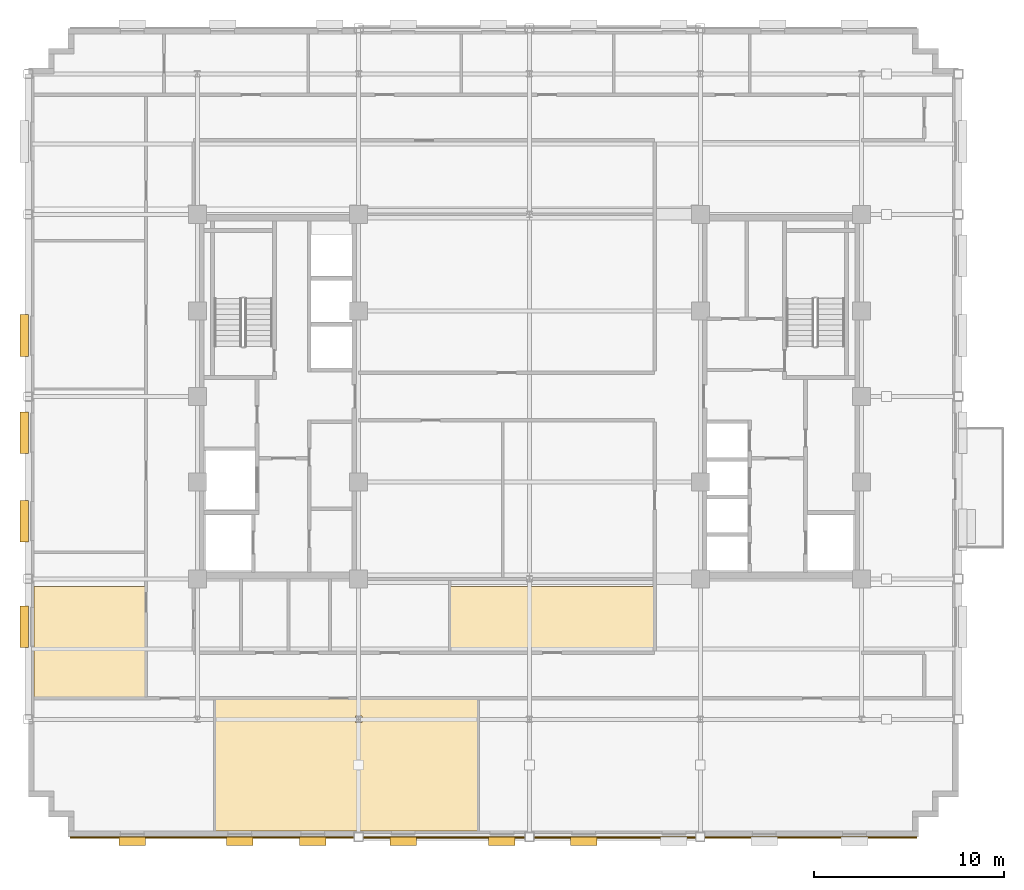
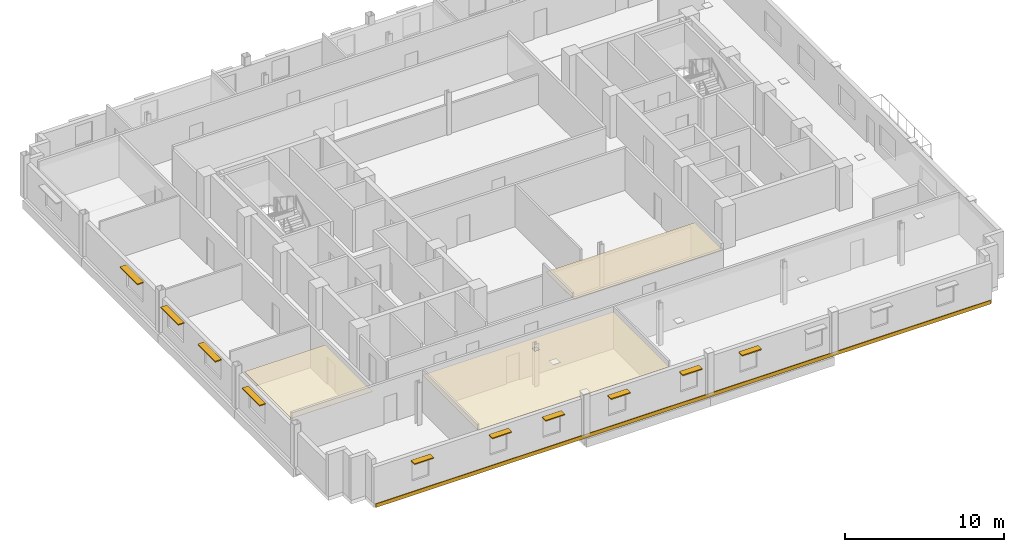
# One storey, part 11 of 15: 10 shading devices, 4 coverings.
"""IFC4 building model written with IfcOpenShell, lengths in metres."""

from ifc_helpers import new_model, si_unit, direction, frame, origin, origin_2d, place, context, subcontext, project, spatial, polyline, rectangle, outline, extrude, source, transform, mapped, material, layer, layer_set, type_object, type_shapes, element, save


model = new_model("IFC4")

# Units and contexts
model_context = context("Model", 3, precision=1e-05, world=origin(), true_north=direction((0.0, 1.0)))
body_context = subcontext(model_context, "Body", "Model", "MODEL_VIEW")
ifc_project = project(units=[si_unit("LENGTHUNIT", "METRE"), si_unit("AREAUNIT", "SQUARE_METRE"), si_unit("VOLUMEUNIT", "CUBIC_METRE"), si_unit("PLANEANGLEUNIT", "RADIAN"), si_unit("MASSUNIT", "GRAM", prefix="KILO")], contexts=[model_context])

# Site, building, storey
site_placement = place(None, origin())
site = spatial("IfcSite", under=ifc_project, at=site_placement, CompositionType="ELEMENT")
building_placement = place(site_placement, origin())
building = spatial("IfcBuilding", under=site, at=building_placement, Name="Nuvemarco Arch Tower", CompositionType="ELEMENT")
storey_placement = place(building_placement, frame((0.0, 0.0, 205.5)))
storey = spatial("IfcBuildingStorey", under=building, at=storey_placement, Name="L54", CompositionType="ELEMENT", Elevation=205.5)

# Coverings
ifc_material_1 = material(Name="Mineral acoustic ceiling tile")
ifc_layer_1 = layer(ifc_material_1, 0.0400390625, Name="COV-ACOUSTIC-CLG")
ifc_layer_set_1 = layer_set([ifc_layer_1], Name="Mineral acoustic ceiling tile")
covering_type_1 = type_object("IfcCoveringType", Name="COV-ACOUSTIC-CLG", PredefinedType="CEILING", material=ifc_layer_set_1)
covering_1_placement = place(storey_placement, frame((0.0, 0.0, 2.72998046875)))
element("IfcCovering", 1, at=covering_1_placement, inside=storey, type_object=covering_type_1, Name="L54 suspended acoustic ceiling 3", PredefinedType="CEILING", context=body_context, shape_type="SweptSolid", body=[
    extrude(outline(polyline([(-16.570068359375, -22.889892578125), (-16.570068359375, -15.89990234375), (-2.7099609375, -15.89990234375), (-2.7099609375, -22.889892578125), (-16.570068359375, -22.889892578125)]), holes=[polyline([(-8.830078125, -17.169921875), (-8.830078125, -16.830078125), (-9.169921875, -16.830078125), (-9.169921875, -17.169921875), (-8.830078125, -17.169921875)])]), origin(), (0.0, 0.0, 1.0), 0.0400390625),
])
covering_2_placement = place(storey_placement, frame((0.0, 0.0, 2.72998046875)))
element("IfcCovering", 2, at=covering_2_placement, inside=storey, type_object=covering_type_1, Name="L54 suspended acoustic ceiling 5", PredefinedType="CEILING", context=body_context, shape_type="SweptSolid", body=[
    extrude(outline(polyline([(-20.199951171875, -15.89990234375), (-26.090087890625, -15.89990234375), (-26.090087890625, -10.0), (-20.199951171875, -10.0), (-20.199951171875, -13.5), (-20.199951171875, -15.89990234375)])), origin(), (0.0, 0.0, 1.0), 0.0400390625),
])
covering_3_placement = place(storey_placement, frame((0.0, 0.0, 2.72998046875)))
element("IfcCovering", 3, at=covering_3_placement, inside=storey, type_object=covering_type_1, Name="L54 suspended acoustic ceiling 7", PredefinedType="CEILING", context=body_context, shape_type="SweptSolid", body=[
    extrude(outline(polyline([(6.60009765625, -13.5), (-4.199951171875, -13.5), (-4.199951171875, -10.0), (6.60009765625, -10.0), (6.60009765625, -13.5)])), origin(), (0.0, 0.0, 1.0), 0.0400390625),
])

# Shading devices
ifc_material_2 = material(Name="Anodised aluminium 6063-T6", Category="aluminium")
shading_device_type_1 = type_object("IfcShadingDeviceType", Name="SHD-BRISE-SOLEIL", PredefinedType="USERDEFINED", material=ifc_material_2)
shared_shape_1 = source(origin(), body_context, "Body", "SweptSolid", [
    extrude(rectangle(XDim=2.199951171875, YDim=0.449951171875, at=origin_2d()), origin(), (0.0, 0.0, 1.0), 0.080078125),
])
type_shapes(shading_device_type_1, [shared_shape_1])
for number, where, z_axis, x_axis, name in (
    (4, (-26.614990234375, -12.125, 2.324951171875), (0.0, 0.0, 1.0), (0.0, 1.0, 0.0), "L54 horizontal brise-soleil sunshade"),
    (5, (-26.614990234375, -6.5625, 2.324951171875), (0.0, 0.0, 1.0), (0.0, 1.0, 0.0), "L54 horizontal brise-soleil sunshade"),
    (6, (-26.614990234375, -1.89990234375, 2.324951171875), (0.0, 0.0, 1.0), (0.0, 1.0, 0.0), "L54 horizontal brise-soleil sunshade"),
    (7, (-26.614990234375, 3.212646484375, 2.324951171875), (0.0, 0.0, 1.0), (0.0, 1.0, 0.0), "L54 horizontal brise-soleil sunshade"),
):
    element("IfcShadingDevice", number, at=place(storey_placement, frame(where, z_axis=z_axis, x_axis=x_axis)), inside=storey, type_object=shading_device_type_1, Name=name, ObjectType="SUNSHADE", PredefinedType="USERDEFINED", context=body_context, shape_type="MappedRepresentation", body=[
        mapped(shared_shape_1, transform((0.0, 0.0, 0.0), scale=1.0)),
    ])
shading_device_type_2 = type_object("IfcShadingDeviceType", Name="SHD-BRISE-NARROW", PredefinedType="USERDEFINED", material=ifc_material_2)
shared_shape_2 = source(origin(), body_context, "Body", "SweptSolid", [
    extrude(rectangle(XDim=1.39990234375, YDim=0.449951171875, at=origin_2d()), origin(), (0.0, 0.0, 1.0), 0.080078125),
])
type_shapes(shading_device_type_2, [shared_shape_2])
for number, where, z_axis, x_axis, name in (
    (8, (-20.922119140625, -23.4150390625, 2.324951171875), (0.0, 0.0, 1.0), (1.0, 0.0, 0.0), "L54 horizontal brise-soleil sunshade"),
    (9, (-15.2666015625, -23.4150390625, 2.324951171875), (0.0, 0.0, 1.0), (1.0, 0.0, 0.0), "L54 horizontal brise-soleil sunshade"),
    (10, (-11.4111328125, -23.4150390625, 2.324951171875), (0.0, 0.0, 1.0), (1.0, 0.0, 0.0), "L54 horizontal brise-soleil sunshade"),
    (11, (-6.655517578125, -23.4150390625, 2.324951171875), (0.0, 0.0, 1.0), (1.0, 0.0, 0.0), "L54 horizontal brise-soleil sunshade"),
    (12, (-1.449951171875, -23.4150390625, 2.324951171875), (0.0, 0.0, 1.0), (1.0, 0.0, 0.0), "L54 horizontal brise-soleil sunshade"),
    (13, (2.855712890625, -23.4150390625, 2.324951171875), (0.0, 0.0, 1.0), (1.0, 0.0, 0.0), "L54 horizontal brise-soleil sunshade"),
):
    element("IfcShadingDevice", number, at=place(storey_placement, frame(where, z_axis=z_axis, x_axis=x_axis)), inside=storey, type_object=shading_device_type_2, Name=name, ObjectType="SUNSHADE", PredefinedType="USERDEFINED", context=body_context, shape_type="MappedRepresentation", body=[
        mapped(shared_shape_2, transform((0.0, 0.0, 0.0), scale=1.0)),
    ])

# Covering
ifc_material_3 = material(Name="Precast concrete C45/55", Category="concrete")
ifc_layer_2 = layer(ifc_material_3, 0.06005859375, Name="COV-SPANDREL-CLAD")
ifc_layer_set_2 = layer_set([ifc_layer_2], Name="Precast concrete C45/55")
covering_type_2 = type_object("IfcCoveringType", Name="COV-SPANDREL-CLAD", PredefinedType="CLADDING", material=ifc_layer_set_2)
shared_shape_3 = source(origin(), body_context, "Body", "SweptSolid", [
    extrude(rectangle(XDim=44.60009765625, YDim=0.06005859375, at=origin_2d()), origin(), (0.0, 0.0, 1.0), 0.280029296875),
])
type_shapes(covering_type_2, [shared_shape_3])
covering_4_placement = place(storey_placement, frame((-1.89990234375, -23.22900390625, -0.27978515625), z_axis=(0.0, 0.0, 1.0), x_axis=(1.0, 0.0, 0.0)))
element("IfcCovering", 14, at=covering_4_placement, inside=storey, type_object=covering_type_2, Name="L54 precast spandrel edge cladding south", PredefinedType="CLADDING", context=body_context, shape_type="MappedRepresentation", body=[
    mapped(shared_shape_3, transform((0.0, 0.0, 0.0), scale=1.0)),
])

save(model, "model.ifc")
